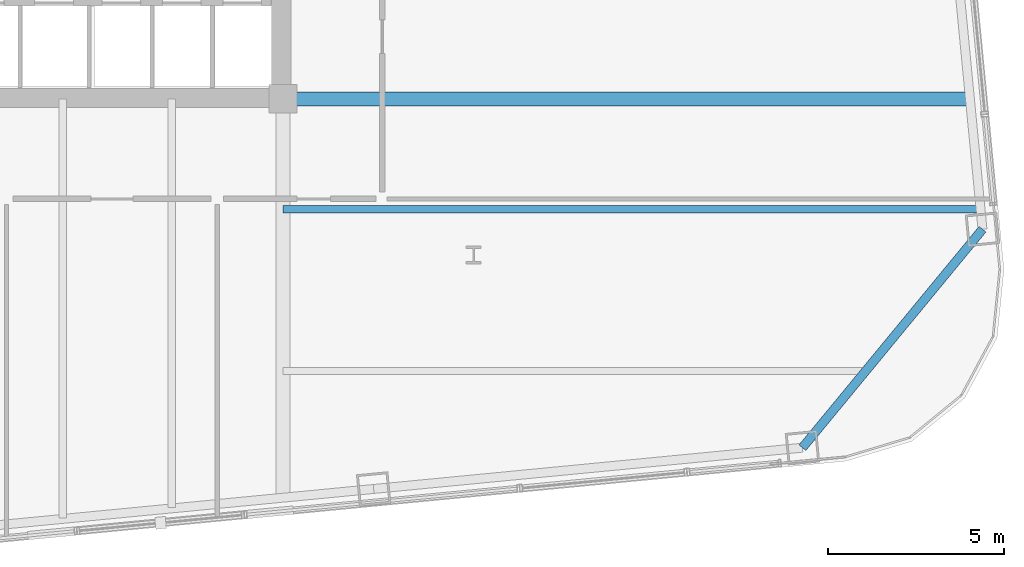
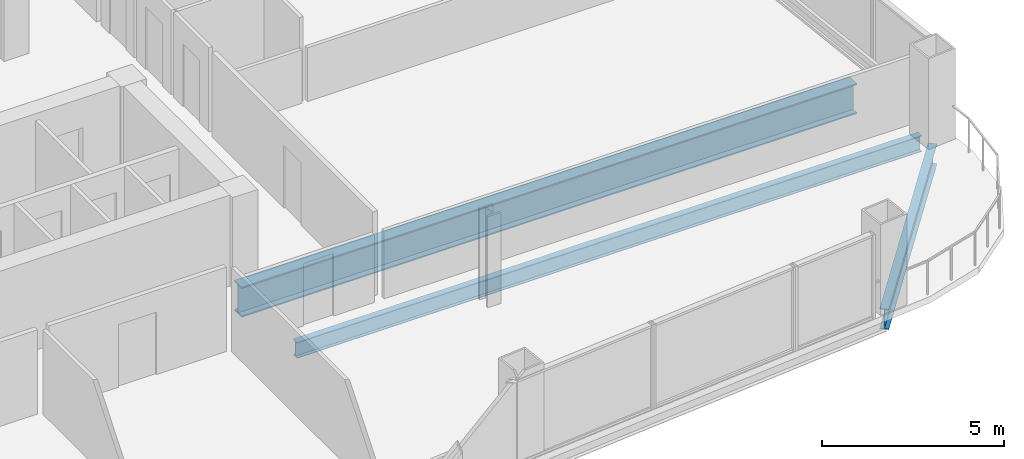
# One storey, part 12 of 32: 3 beams.
"""IFC4 building model written with IfcOpenShell, lengths in metres."""

from ifc_helpers import new_model, si_unit, direction, frame, origin, origin_2d, place, context, subcontext, project, spatial, i_section, extrude, material, material_profile, profile_set, type_object, element, save


model = new_model("IFC4")

# Units and contexts
model_context = context("Model", 3, precision=1e-05, world=origin(), true_north=direction((0.0, 1.0)))
body_context = subcontext(model_context, "Body", "Model", "MODEL_VIEW")
ifc_project = project(units=[si_unit("LENGTHUNIT", "METRE"), si_unit("AREAUNIT", "SQUARE_METRE"), si_unit("VOLUMEUNIT", "CUBIC_METRE"), si_unit("PLANEANGLEUNIT", "RADIAN"), si_unit("MASSUNIT", "GRAM", prefix="KILO")], contexts=[model_context])

# Site, building, storey
site_placement = place(None, origin())
site = spatial("IfcSite", under=ifc_project, at=site_placement, CompositionType="ELEMENT")
building_placement = place(site_placement, origin())
building = spatial("IfcBuilding", under=site, at=building_placement, Name="Qhalaya Broadcast Tower", CompositionType="ELEMENT")
storey_placement = place(building_placement, frame((0.0, 0.0, 87.75)))
storey = spatial("IfcBuildingStorey", under=building, at=storey_placement, Name="L25", CompositionType="ELEMENT", Elevation=87.75)

# Beams
ifc_material = material(Name="Structural Steel ASTM A992 Grade 50", Category="steel")
ifc_material_profile_1 = material_profile(ifc_material, i_section(OverallWidth=0.2099609375, OverallDepth=0.535888671875, WebThickness=0.010986328125, FlangeThickness=0.017333984375, at=origin_2d()), Name="W21X68")
ifc_profile_set_1 = profile_set([ifc_material_profile_1], Name="Structural Steel ASTM A992 Grade 50")
beam_type_1 = type_object("IfcBeamType", Name="Composite Floor Joist J02", PredefinedType="JOIST", material=ifc_profile_set_1)
beam_1_placement = place(storey_placement, frame((9.375, -11.89990234375, -0.488037109375), z_axis=(1.0, 0.0, 0.0), x_axis=(0.0, 1.0, 0.0)))
element("IfcBeam", 1, at=beam_1_placement, inside=storey, type_object=beam_type_1, Name="L25 J02 L25-JWE2E-1", PredefinedType="JOIST", context=body_context, shape_type="SweptSolid", body=[
    extrude(i_section(OverallWidth=0.2099609375, OverallDepth=0.535888671875, WebThickness=0.010986328125, FlangeThickness=0.017333984375, at=origin_2d()), origin(), (0.0, 0.0, 1.0), 19.843017578125),
])
ifc_material_profile_2 = material_profile(ifc_material, i_section(OverallWidth=0.40087890625, OverallDepth=1.010986328125, WebThickness=0.023681640625, FlangeThickness=0.0419921875, at=origin_2d()), Name="W40X297")
ifc_profile_set_2 = profile_set([ifc_material_profile_2], Name="Structural Steel ASTM A992 Grade 50")
beam_type_2 = type_object("IfcBeamType", Name="Lower Block Primary Girder PG2", PredefinedType="USERDEFINED", material=ifc_profile_set_2)
beam_2_placement = place(storey_placement, frame((9.375, -8.75, -0.7255859375), z_axis=(1.0, 0.0, 0.0), x_axis=(0.0, 1.0, 0.0)))
element("IfcBeam", 2, at=beam_2_placement, inside=storey, type_object=beam_type_2, Name="L25 PG2 L25-PGYE1-1", ObjectType="GIRDER", PredefinedType="USERDEFINED", context=body_context, shape_type="SweptSolid", body=[
    extrude(i_section(OverallWidth=0.40087890625, OverallDepth=1.010986328125, WebThickness=0.023681640625, FlangeThickness=0.0419921875, at=origin_2d()), origin(), (0.0, 0.0, 1.0), 19.539794921875),
])
ifc_material_profile_3 = material_profile(ifc_material, i_section(OverallWidth=0.25390625, OverallDepth=0.68310546875, WebThickness=0.012451171875, FlangeThickness=0.01904296875, at=origin_2d()), Name="W27X94")
ifc_profile_set_3 = profile_set([ifc_material_profile_3], Name="Structural Steel ASTM A992 Grade 50")
beam_type_3 = type_object("IfcBeamType", Name="Perimeter Ring Spandrel Beam SP1", PredefinedType="SPANDREL", material=ifc_profile_set_3)
beam_3_placement = place(storey_placement, frame((24.165283203125, -18.685546875, -0.5615234375), z_axis=(0.636052208619, 0.771646025008, 0.0), x_axis=(-0.771646025008, 0.636052208619, 0.0)))
element("IfcBeam", 3, at=beam_3_placement, inside=storey, type_object=beam_type_3, Name="L25 SP1 L25-SPR-04", PredefinedType="SPANDREL", context=body_context, shape_type="SweptSolid", body=[
    extrude(i_section(OverallWidth=0.25390625, OverallDepth=0.68310546875, WebThickness=0.012451171875, FlangeThickness=0.01904296875, at=origin_2d()), origin(), (0.0, 0.0, 1.0), 8.06103515625),
])

save(model, "model.ifc")
